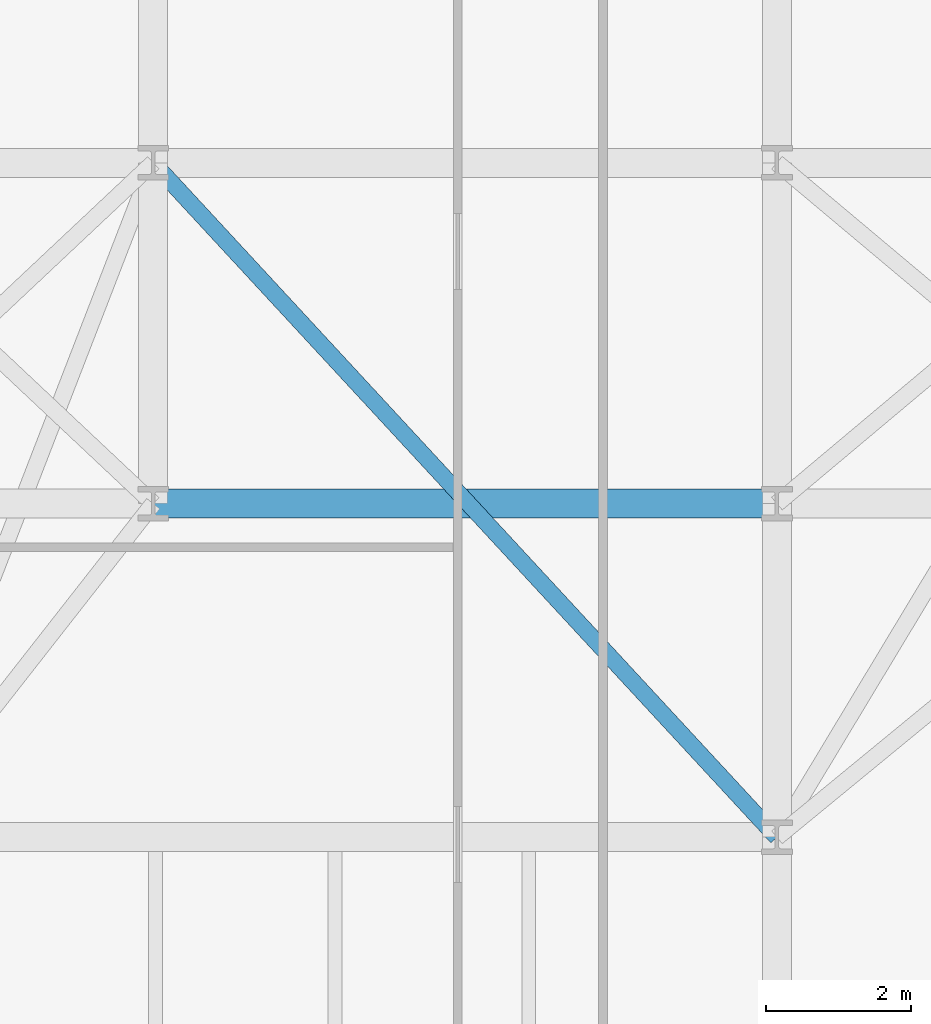
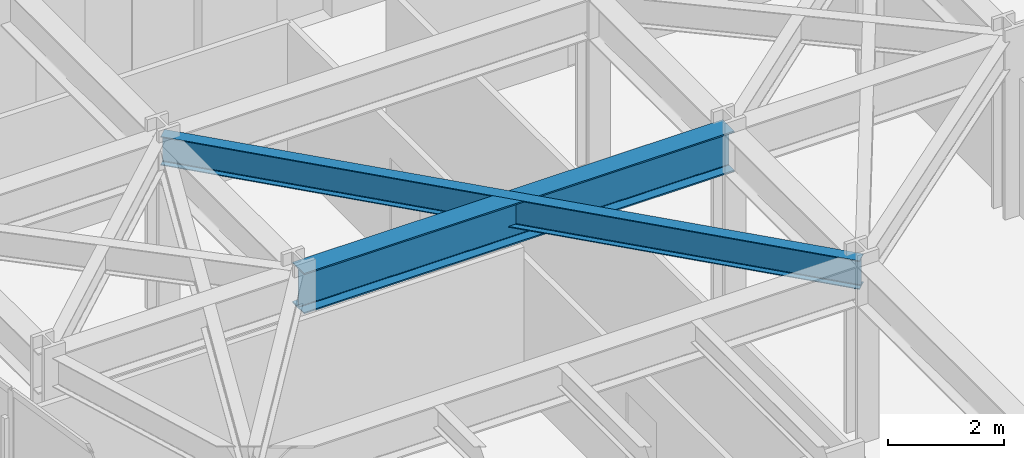
# One storey, part 10 of 26: 2 beams.
"""IFC4 building model written with IfcOpenShell, lengths in metres."""

from ifc_helpers import new_model, si_unit, direction, frame, origin, origin_2d, place, context, subcontext, project, spatial, i_section, extrude, material, material_profile, profile_set, type_object, element, save


model = new_model("IFC4")

# Units and contexts
model_context = context("Model", 3, precision=1e-05, world=origin(), true_north=direction((0.0, 1.0)))
body_context = subcontext(model_context, "Body", "Model", "MODEL_VIEW")
ifc_project = project(units=[si_unit("LENGTHUNIT", "METRE"), si_unit("AREAUNIT", "SQUARE_METRE"), si_unit("VOLUMEUNIT", "CUBIC_METRE"), si_unit("PLANEANGLEUNIT", "RADIAN"), si_unit("MASSUNIT", "GRAM", prefix="KILO")], contexts=[model_context])

# Site, building, storey
site_placement = place(None, origin())
site = spatial("IfcSite", under=ifc_project, at=site_placement, CompositionType="ELEMENT")
building_placement = place(site_placement, origin())
building = spatial("IfcBuilding", under=site, at=building_placement, Name="Kravanh Interchange Tower", CompositionType="ELEMENT")
storey_placement = place(building_placement, frame((0.0, 0.0, 112.0)))
storey = spatial("IfcBuildingStorey", under=building, at=storey_placement, Name="L26", CompositionType="ELEMENT", Elevation=112.0)

# Beams
ifc_material_1 = material(Name="Structural Steel S355", Category="steel")
ifc_material_profile_1 = material_profile(ifc_material_1, i_section(OverallWidth=0.39990234375, OverallDepth=0.85595703125, WebThickness=0.018310546875, FlangeThickness=0.029296875, FilletRadius=0.02490234375, at=origin_2d()), Name="W33X201")
ifc_profile_set_1 = profile_set([ifc_material_profile_1], Name="Structural Steel S355")
beam_type_1 = type_object("IfcBeamType", Name="Floor Beam W33X201 Structural Steel S355", PredefinedType="BEAM", material=ifc_profile_set_1)
beam_1_placement = place(storey_placement, frame((18.60009765625, 26.800048828125, 3.322021484375), z_axis=(1.0, 0.0, 0.0), x_axis=(0.0, 1.0, 0.0)))
element("IfcBeam", 1, at=beam_1_placement, inside=storey, type_object=beam_type_1, Name="L26 Primary Floor Girder 44", PredefinedType="BEAM", context=body_context, shape_type="SweptSolid", body=[
    extrude(i_section(OverallWidth=0.39990234375, OverallDepth=0.85595703125, WebThickness=0.018310546875, FlangeThickness=0.029296875, FilletRadius=0.02490234375, at=origin_2d()), origin(), (0.0, 0.0, 1.0), 8.599853515625),
])
ifc_material_2 = material(Name="Structural Steel S355", Category="steel")
ifc_material_profile_2 = material_profile(ifc_material_2, i_section(OverallWidth=0.22802734375, OverallDepth=0.60791015625, WebThickness=0.01123046875, FlangeThickness=0.017333984375, FilletRadius=0.02197265625, at=origin_2d()), Name="W24X76")
ifc_profile_set_2 = profile_set([ifc_material_profile_2], Name="Structural Steel S355")
beam_type_2 = type_object("IfcBeamType", Name="Floor Spandrel W24X76 Structural Steel S355", PredefinedType="SPANDREL", material=ifc_profile_set_2)
beam_2_placement = place(storey_placement, frame((18.60009765625, 31.5, 3.446044921875), z_axis=(0.678927458783, -0.734205356634, 0.0), x_axis=(0.734205356634, 0.678927458783, 0.0)))
element("IfcBeam", 2, at=beam_2_placement, inside=storey, type_object=beam_type_2, Name="L26 Perimeter Spandrel 73", PredefinedType="SPANDREL", context=body_context, shape_type="SweptSolid", body=[
    extrude(i_section(OverallWidth=0.22802734375, OverallDepth=0.60791015625, WebThickness=0.01123046875, FlangeThickness=0.017333984375, FilletRadius=0.02197265625, at=origin_2d()), origin(), (0.0, 0.0, 1.0), 12.666748046875),
])

save(model, "model.ifc")
